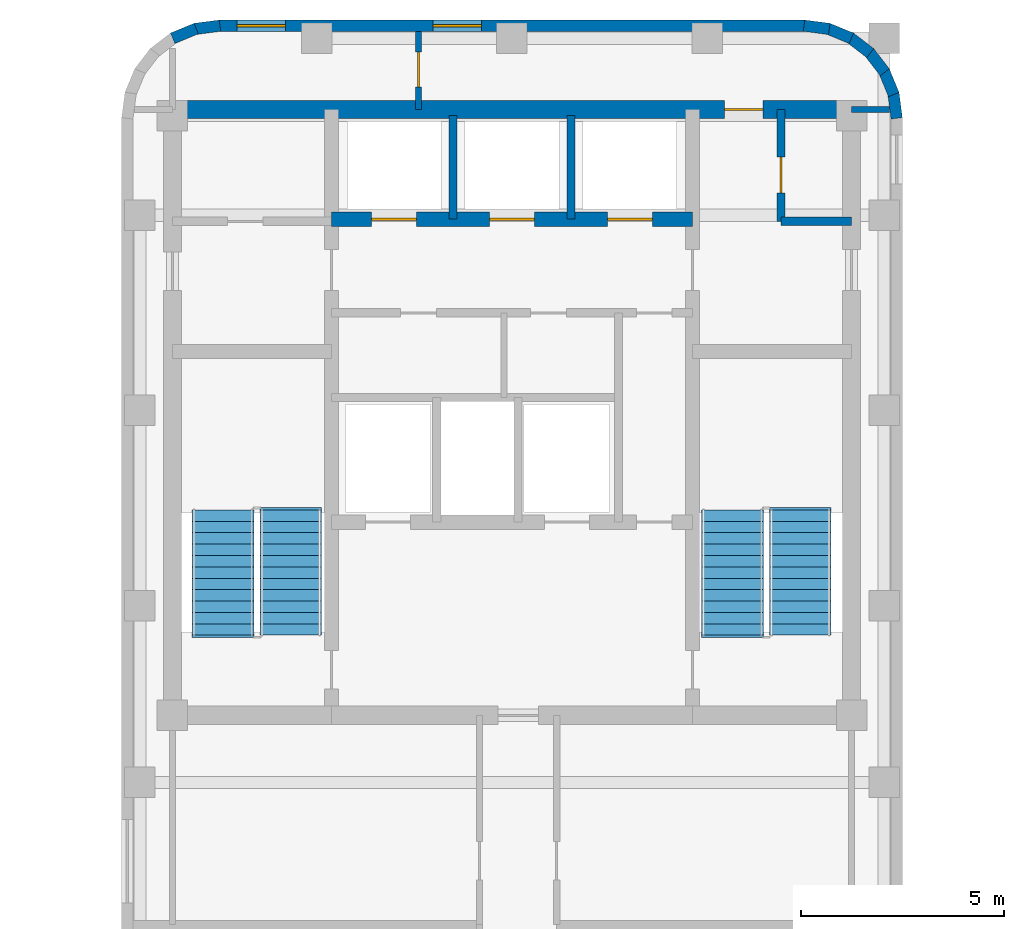
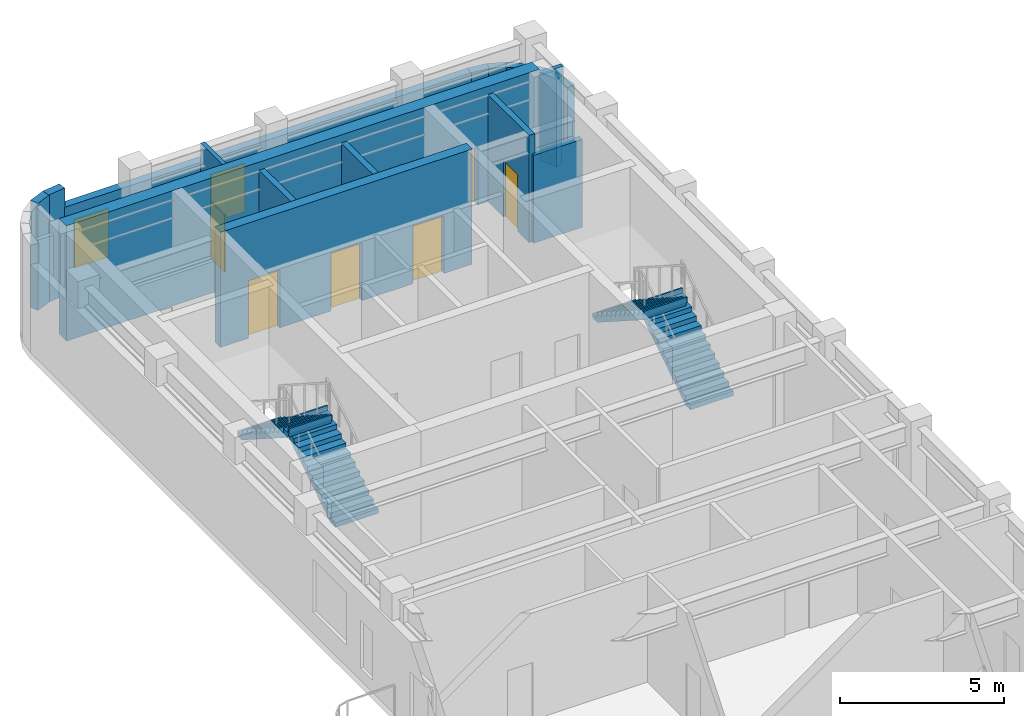
# One storey, part 4 of 5: 17 walls, 6 doors, 4 stair flights, 2 windows, 8 openings, 2 elements without a shape of their own.
"""IFC4 building model written with IfcOpenShell, lengths in metres."""

from ifc_helpers import new_model, si_unit, direction, frame, frame_2d, origin, place, context, subcontext, project, spatial, polyline, rectangle, outline, extrude, material, layer, layer_set, type_object, element, fill, aggregate, save


model = new_model("IFC4")

# Units and contexts
model_context = context("Model", 3, precision=1e-05, world=origin(), true_north=direction((0.0, 1.0)))
body_context = subcontext(model_context, "Body", "Model", "MODEL_VIEW")
ifc_project = project(units=[si_unit("LENGTHUNIT", "METRE"), si_unit("AREAUNIT", "SQUARE_METRE"), si_unit("VOLUMEUNIT", "CUBIC_METRE"), si_unit("PLANEANGLEUNIT", "RADIAN"), si_unit("MASSUNIT", "GRAM", prefix="KILO")], contexts=[model_context])

# Site, building, storey
site_placement = place(None, origin())
site = spatial("IfcSite", under=ifc_project, at=site_placement, CompositionType="ELEMENT")
building_placement = place(site_placement, origin())
building = spatial("IfcBuilding", under=site, at=building_placement, Name="Orvandelia Arch Residences", CompositionType="ELEMENT")
storey_placement = place(building_placement, frame((0.0, 0.0, 287.10009765625)))
storey = spatial("IfcBuildingStorey", under=building, at=storey_placement, Name="L74", CompositionType="ELEMENT", Elevation=287.10009765625)

# Wall, openings, doors
ifc_material_1 = material(Name="Concrete C50/60", Category="concrete")
ifc_layer_1 = layer(ifc_material_1, 0.35009765625, Name="Concrete C50/60", Category="concrete")
ifc_layer_set_1 = layer_set([ifc_layer_1], Name="Concrete C50/60")
wall_type_1 = type_object("IfcWallType", Name="WL-CORE-350", PredefinedType="SHEAR", material=ifc_layer_set_1)
wall_1_placement = place(storey_placement, frame((9.9599609375, 43.10009765625, 0.0), z_axis=(0.0, 0.0, 1.0), x_axis=(1.0, 0.0, 0.0)))
wall_1 = element("IfcWall", 1, at=wall_1_placement, inside=storey, type_object=wall_type_1, Name="Core Shear Wall L74-HZ4", PredefinedType="SHEAR", context=body_context, shape_type="SweptSolid", body=[
    extrude(rectangle(XDim=8.880126953125, YDim=0.35009765625, at=frame_2d((4.43994140625, 0.0))), origin(), (0.0, 0.0, 1.0), 4.2998046875),
])
opening_1_placement = place(wall_1_placement, frame((0.989990234375, 0.0, 0.0)))
opening_1 = element("IfcOpeningElement", 2, at=opening_1_placement, cuts=wall_1, Name="Opening LD", PredefinedType="OPENING", context=body_context, shape_type="SweptSolid", body=[
    extrude(rectangle(XDim=1.10009765625, YDim=2.14990234375, at=frame_2d((0.550048828125, 1.074951171875))), frame((0.0, 0.18505859375, 0.0), z_axis=(0.0, -1.0, 0.0), x_axis=(1.0, 0.0, 0.0)), (0.0, 0.0, 1.0), 0.3701171875),
])
opening_2_placement = place(wall_1_placement, frame((3.889892578125, 0.0, 0.0)))
opening_2 = element("IfcOpeningElement", 3, at=opening_2_placement, cuts=wall_1, Name="Opening LD", PredefinedType="OPENING", context=body_context, shape_type="SweptSolid", body=[
    extrude(rectangle(XDim=1.10009765625, YDim=2.14990234375, at=frame_2d((0.550048828125, 1.074951171875))), frame((0.0, 0.18505859375, 0.0), z_axis=(0.0, -1.0, 0.0), x_axis=(1.0, 0.0, 0.0)), (0.0, 0.0, 1.0), 0.3701171875),
])
opening_3_placement = place(wall_1_placement, frame((6.7900390625, 0.0, 0.0)))
opening_3 = element("IfcOpeningElement", 4, at=opening_3_placement, cuts=wall_1, Name="Opening LD", PredefinedType="OPENING", context=body_context, shape_type="SweptSolid", body=[
    extrude(rectangle(XDim=1.10009765625, YDim=2.14990234375, at=frame_2d((0.550048828125, 1.074951171875))), frame((0.0, 0.18505859375, 0.0), z_axis=(0.0, -1.0, 0.0), x_axis=(1.0, 0.0, 0.0)), (0.0, 0.0, 1.0), 0.3701171875),
])
ifc_material_2 = material(Name="Brushed Stainless Steel Sliding Lift Door", Category="steel")
door_type_1 = type_object("IfcDoorType", Name="DR-LIFT-1100", OperationType="NOTDEFINED", PredefinedType="DOOR", material=ifc_material_2)
door_1_placement = place(opening_1_placement, origin())
door_1 = element("IfcDoor", 5, at=door_1_placement, inside=storey, type_object=door_type_1, Name="Lift Landing Door LD-PH1-L74", OperationType="SLIDING_TO_LEFT", OverallHeight=2.14990234375, OverallWidth=1.10009765625, PredefinedType="DOOR", context=body_context, shape_type="SweptSolid", body=[
    extrude(rectangle(XDim=1.10009765625, YDim=2.14990234375, at=frame_2d((0.550048828125, 1.074951171875))), frame((0.0, 0.02490234375, 0.0), z_axis=(0.0, -1.0, 0.0), x_axis=(1.0, 0.0, 0.0)), (0.0, 0.0, 1.0), 0.050048828125),
])
fill(opening_1, door_1)
door_2_placement = place(opening_2_placement, origin())
door_2 = element("IfcDoor", 6, at=door_2_placement, inside=storey, type_object=door_type_1, Name="Lift Landing Door LD-PH2-L74", OperationType="SLIDING_TO_RIGHT", OverallHeight=2.14990234375, OverallWidth=1.10009765625, PredefinedType="DOOR", context=body_context, shape_type="SweptSolid", body=[
    extrude(rectangle(XDim=1.10009765625, YDim=2.14990234375, at=frame_2d((0.550048828125, 1.074951171875))), frame((0.0, 0.02490234375, 0.0), z_axis=(0.0, -1.0, 0.0), x_axis=(1.0, 0.0, 0.0)), (0.0, 0.0, 1.0), 0.050048828125),
])
fill(opening_2, door_2)
door_3_placement = place(opening_3_placement, origin())
door_3 = element("IfcDoor", 7, at=door_3_placement, inside=storey, type_object=door_type_1, Name="Lift Landing Door LD-PH3-L74", OperationType="SLIDING_TO_LEFT", OverallHeight=2.14990234375, OverallWidth=1.10009765625, PredefinedType="DOOR", context=body_context, shape_type="SweptSolid", body=[
    extrude(rectangle(XDim=1.10009765625, YDim=2.14990234375, at=frame_2d((0.550048828125, 1.074951171875))), frame((0.0, 0.02490234375, 0.0), z_axis=(0.0, -1.0, 0.0), x_axis=(1.0, 0.0, 0.0)), (0.0, 0.0, 1.0), 0.050048828125),
])
fill(opening_3, door_3)

# Wall, opening, door
ifc_layer_2 = layer(ifc_material_1, 0.449951171875, Name="Concrete C50/60", Category="concrete")
ifc_layer_set_2 = layer_set([ifc_layer_2], Name="Concrete C50/60")
wall_type_2 = type_object("IfcWallType", Name="WL-CORE-450", PredefinedType="SHEAR", material=ifc_layer_set_2)
wall_2_placement = place(storey_placement, frame((6.050048828125, 45.800048828125, 0.0), z_axis=(0.0, 0.0, 1.0), x_axis=(1.0, 0.0, 0.0)))
wall_2 = element("IfcWall", 8, at=wall_2_placement, inside=storey, type_object=wall_type_2, Name="Core Shear Wall L74-N", PredefinedType="SHEAR", context=body_context, shape_type="SweptSolid", body=[
    extrude(rectangle(XDim=16.699951171875, YDim=0.449951171875, at=frame_2d((8.35009765625, 0.0))), origin(), (0.0, 0.0, 1.0), 4.2998046875),
])
opening_4_placement = place(wall_2_placement, frame((13.570068359375, 0.0, 0.0)))
opening_4 = element("IfcOpeningElement", 9, at=opening_4_placement, cuts=wall_2, Name="Opening D2", PredefinedType="OPENING", context=body_context, shape_type="SweptSolid", body=[
    extrude(rectangle(XDim=0.949951171875, YDim=2.14990234375, at=frame_2d((0.47509765625, 1.074951171875))), frame((0.0, 0.23486328125, 0.0), z_axis=(0.0, -1.0, 0.0), x_axis=(1.0, 0.0, 0.0)), (0.0, 0.0, 1.0), 0.469970703125),
])
ifc_material_3 = material(Name="Solid-Core Timber Interior Fire Door", Category="wood")
door_type_2 = type_object("IfcDoorType", Name="DR-APT-950", OperationType="NOTDEFINED", PredefinedType="DOOR", material=ifc_material_3)
door_4_placement = place(opening_4_placement, origin())
door_4 = element("IfcDoor", 10, at=door_4_placement, inside=storey, type_object=door_type_2, Name="North Harbour Suite Entry Door L74", OperationType="SINGLE_SWING_LEFT", OverallHeight=2.14990234375, OverallWidth=0.949951171875, PredefinedType="DOOR", context=body_context, shape_type="SweptSolid", body=[
    extrude(rectangle(XDim=0.949951171875, YDim=2.14990234375, at=frame_2d((0.47509765625, 1.074951171875))), frame((0.0, 0.02490234375, 0.0), z_axis=(0.0, -1.0, 0.0), x_axis=(1.0, 0.0, 0.0)), (0.0, 0.0, 1.0), 0.050048828125),
])
fill(opening_4, door_4)

# Walls
ifc_material_4 = material(Name="Precast concrete C40/50", Category="concrete")
ifc_layer_3 = layer(ifc_material_4, 0.280029296875, Name="Precast concrete C40/50", Category="concrete")
ifc_layer_set_3 = layer_set([ifc_layer_3], Name="Precast concrete C40/50")
wall_type_3 = type_object("IfcWallType", Name="WL-EXT-STONE-280", PredefinedType="STANDARD", material=ifc_layer_set_3)
wall_3_placement = place(storey_placement, frame((6.0537109375, 47.54931640625, 0.0), z_axis=(0.0, 0.0, 1.0), x_axis=(0.923974080304, 0.382455093999, 0.0)))
element("IfcWall", 11, at=wall_3_placement, inside=storey, type_object=wall_type_3, Name="Coral-Limestone Precast Facade Wall L74-005", PredefinedType="STANDARD", context=body_context, shape_type="SweptSolid", body=[
    extrude(rectangle(XDim=0.626220703125, YDim=0.280029296875, at=frame_2d((0.31298828125, 0.0))), origin(), (0.0, 0.0, 1.0), 4.0),
])
wall_4_placement = place(storey_placement, frame((6.59716796875, 47.779296875, 0.0), z_axis=(0.0, 0.0, 1.0), x_axis=(0.9914410257, 0.130555323746, 0.0)))
element("IfcWall", 12, at=wall_4_placement, inside=storey, type_object=wall_type_3, Name="Coral-Limestone Precast Facade Wall L74-006", PredefinedType="STANDARD", context=body_context, shape_type="SweptSolid", body=[
    extrude(rectangle(XDim=0.62646484375, YDim=0.280029296875, at=frame_2d((0.313232421875, 0.0))), origin(), (0.0, 0.0, 1.0), 4.0),
])

# Wall, openings, windows
wall_5_placement = place(storey_placement, frame((7.199951171875, 47.860107421875, 0.0), z_axis=(0.0, 0.0, 1.0), x_axis=(1.0, 0.0, 0.0)))
wall_5 = element("IfcWall", 13, at=wall_5_placement, inside=storey, type_object=wall_type_3, Name="Coral-Limestone Precast Facade Wall L74-007", PredefinedType="STANDARD", context=body_context, shape_type="SweptSolid", body=[
    extrude(rectangle(XDim=14.400146484375, YDim=0.280029296875, at=frame_2d((7.2001953125, 0.0))), origin(), (0.0, 0.0, 1.0), 3.27978515625),
])
opening_5_placement = place(wall_5_placement, frame((0.4326171875, 0.0, 0.800048828125)))
opening_5 = element("IfcOpeningElement", 14, at=opening_5_placement, cuts=wall_5, Name="Opening W3", PredefinedType="OPENING", context=body_context, shape_type="SweptSolid", body=[
    extrude(rectangle(XDim=1.199951171875, YDim=1.800048828125, at=frame_2d((0.60009765625, 0.89990234375))), frame((0.0, 0.14990234375, 0.0), z_axis=(0.0, -1.0, 0.0), x_axis=(1.0, 0.0, 0.0)), (0.0, 0.0, 1.0), 0.300048828125),
])
opening_6_placement = place(wall_5_placement, frame((5.25244140625, 0.0, 0.800048828125)))
opening_6 = element("IfcOpeningElement", 15, at=opening_6_placement, cuts=wall_5, Name="Opening W3", PredefinedType="OPENING", context=body_context, shape_type="SweptSolid", body=[
    extrude(rectangle(XDim=1.199951171875, YDim=1.800048828125, at=frame_2d((0.60009765625, 0.89990234375))), frame((0.0, 0.14990234375, 0.0), z_axis=(0.0, -1.0, 0.0), x_axis=(1.0, 0.0, 0.0)), (0.0, 0.0, 1.0), 0.300048828125),
])
ifc_material_5 = material(Name="Tempered Low-E Insulated Glazing", Category="glass")
window_type = type_object("IfcWindowType", Name="WIN-RES-1200x1800", PartitioningType="SINGLE_PANEL", PredefinedType="WINDOW", material=ifc_material_5)
window_1_placement = place(opening_5_placement, origin())
window_1 = element("IfcWindow", 16, at=window_1_placement, inside=storey, type_object=window_type, Name="Recessed Punched Window L74-001", OverallHeight=1.800048828125, OverallWidth=1.199951171875, PartitioningType="SINGLE_PANEL", PredefinedType="WINDOW", context=body_context, shape_type="SweptSolid", body=[
    extrude(rectangle(XDim=1.199951171875, YDim=1.800048828125, at=frame_2d((0.60009765625, 0.89990234375))), frame((0.0, 0.030029296875, 0.0), z_axis=(0.0, -1.0, 0.0), x_axis=(1.0, 0.0, 0.0)), (0.0, 0.0, 1.0), 0.06005859375),
])
fill(opening_5, window_1)
window_2_placement = place(opening_6_placement, origin())
window_2 = element("IfcWindow", 17, at=window_2_placement, inside=storey, type_object=window_type, Name="Recessed Punched Window L74-002", OverallHeight=1.800048828125, OverallWidth=1.199951171875, PartitioningType="SINGLE_PANEL", PredefinedType="WINDOW", context=body_context, shape_type="SweptSolid", body=[
    extrude(rectangle(XDim=1.199951171875, YDim=1.800048828125, at=frame_2d((0.60009765625, 0.89990234375))), frame((0.0, 0.030029296875, 0.0), z_axis=(0.0, -1.0, 0.0), x_axis=(1.0, 0.0, 0.0)), (0.0, 0.0, 1.0), 0.06005859375),
])
fill(opening_6, window_2)

# Walls
for number, where, z_axis, x_axis, name in (
    (18, (21.581787109375, 47.861083984375, 0.0), (0.0, 0.0, 1.0), (0.9914410257, -0.130555323746, 0.0), "Coral-Limestone Precast Facade Wall L74-008"),
    (19, (22.16748046875, 47.788818359375, 0.0), (0.0, 0.0, 1.0), (0.924031075431, -0.382317370307, 0.0), "Coral-Limestone Precast Facade Wall L74-009"),
    (20, (22.71484375, 47.5673828125, 0.0), (0.0, 0.0, 1.0), (0.793405610854, -0.608693302629, 0.0), "Coral-Limestone Precast Facade Wall L74-010"),
    (21, (23.18603515625, 47.2119140625, 0.0), (0.0, 0.0, 1.0), (0.608693302629, -0.793405610854, 0.0), "Coral-Limestone Precast Facade Wall L74-011"),
    (22, (23.54931640625, 46.746337890625, 0.0), (0.0, 0.0, 1.0), (0.382317370307, -0.924031075431, 0.0), "Coral-Limestone Precast Facade Wall L74-012"),
    (23, (23.779296875, 46.202880859375, 0.0), (0.0, 0.0, 1.0), (0.130555323746, -0.9914410257, 0.0), "Coral-Limestone Precast Facade Wall L74-013"),
):
    element("IfcWall", number, at=place(storey_placement, frame(where, z_axis=z_axis, x_axis=x_axis)), inside=storey, type_object=wall_type_3, Name=name, PredefinedType="STANDARD", context=body_context, shape_type="SweptSolid", body=[
        extrude(rectangle(XDim=0.62646484375, YDim=0.280029296875, at=frame_2d((0.313232421875, 0.0))), origin(), (0.0, 0.0, 1.0), 3.27978515625),
    ])
ifc_material_6 = material(Name="Acoustic Gypsum Stud Partition")
ifc_layer_4 = layer(ifc_material_6, 0.14990234375, Name="Acoustic Gypsum Stud Partition")
ifc_layer_set_4 = layer_set([ifc_layer_4], Name="Acoustic Gypsum Stud Partition")
wall_type_4 = type_object("IfcWallType", Name="WL-PART-150", PredefinedType="PARTITIONING", material=ifc_layer_set_4)
wall_6_placement = place(storey_placement, frame((22.75, 45.800048828125, 0.0), z_axis=(0.0, 0.0, 1.0), x_axis=(1.0, 0.0, 0.0)))
element("IfcWall", 24, at=wall_6_placement, inside=storey, type_object=wall_type_4, Name="Interior Partition Wall WL-L74-SEFLK-N", PredefinedType="PARTITIONING", context=body_context, shape_type="SweptSolid", body=[
    extrude(rectangle(XDim=0.929931640625, YDim=0.14990234375, at=frame_2d((0.46484375, 0.0))), origin(), (0.0, 0.0, 1.0), 4.0),
])

# Wall, opening, door
wall_7_placement = place(storey_placement, frame((12.10009765625, 45.800048828125, 0.0), z_axis=(0.0, 0.0, 1.0), x_axis=(0.0, 1.0, 0.0)))
wall_7 = element("IfcWall", 25, at=wall_7_placement, inside=storey, type_object=wall_type_4, Name="Interior Partition Wall WL-L74-NHI-M", PredefinedType="PARTITIONING", context=body_context, shape_type="SweptSolid", body=[
    extrude(rectangle(XDim=1.919921875, YDim=0.14990234375, at=frame_2d((0.9599609375, 0.0))), origin(), (0.0, 0.0, 1.0), 4.0),
])
opening_7_placement = place(wall_7_placement, frame((0.550048828125, 0.0, 0.0)))
opening_7 = element("IfcOpeningElement", 26, at=opening_7_placement, cuts=wall_7, Name="Opening D4", PredefinedType="OPENING", context=body_context, shape_type="SweptSolid", body=[
    extrude(rectangle(XDim=0.860107421875, YDim=2.10009765625, at=frame_2d((0.43017578125, 1.050048828125))), frame((0.0, 0.0849609375, 0.0), z_axis=(0.0, -1.0, 0.0), x_axis=(1.0, 0.0, 0.0)), (0.0, 0.0, 1.0), 0.169921875),
])
ifc_material_7 = material(Name="Moisture-Sealed Timber Bathroom Door", Category="wood")
door_type_3 = type_object("IfcDoorType", Name="DR-WET-900", OperationType="NOTDEFINED", PredefinedType="DOOR", material=ifc_material_7)
door_5_placement = place(opening_7_placement, origin())
door_5 = element("IfcDoor", 27, at=door_5_placement, inside=storey, type_object=door_type_3, Name="DR-L74-NHI1", OperationType="SINGLE_SWING_LEFT", OverallHeight=2.10009765625, OverallWidth=0.860107421875, PredefinedType="DOOR", context=body_context, shape_type="SweptSolid", body=[
    extrude(rectangle(XDim=0.860107421875, YDim=2.10009765625, at=frame_2d((0.43017578125, 1.050048828125))), frame((0.0, 0.02490234375, 0.0), z_axis=(0.0, -1.0, 0.0), x_axis=(1.0, 0.0, 0.0)), (0.0, 0.0, 1.0), 0.050048828125),
])
fill(opening_7, door_5)

# Wall
ifc_material_8 = material(Name="Fire-Rated Shaft Enclosure Wall")
ifc_layer_5 = layer(ifc_material_8, 0.199951171875, Name="Fire-Rated Shaft Enclosure Wall")
ifc_layer_set_5 = layer_set([ifc_layer_5], Name="Fire-Rated Shaft Enclosure Wall")
wall_type_5 = type_object("IfcWallType", Name="WL-SHAFT-200", PredefinedType="POLYGONAL", material=ifc_layer_set_5)
wall_8_placement = place(storey_placement, frame((21.02001953125, 43.050048828125, 0.0), z_axis=(0.0, 0.0, 1.0), x_axis=(1.0, 0.0, 0.0)))
element("IfcWall", 28, at=wall_8_placement, inside=storey, type_object=wall_type_5, Name="Interior Partition Wall WL-L74-HLE-N", PredefinedType="POLYGONAL", context=body_context, shape_type="SweptSolid", body=[
    extrude(rectangle(XDim=1.72998046875, YDim=0.199951171875, at=frame_2d((0.864990234375, 0.0))), origin(), (0.0, 0.0, 1.0), 3.27978515625),
])

# Wall, opening, door
wall_9_placement = place(storey_placement, frame((21.02001953125, 43.050048828125, 0.0), z_axis=(0.0, 0.0, 1.0), x_axis=(0.0, 1.0, 0.0)))
wall_9 = element("IfcWall", 29, at=wall_9_placement, inside=storey, type_object=wall_type_5, Name="Interior Partition Wall WL-L74-HLE-W21", PredefinedType="POLYGONAL", context=body_context, shape_type="SweptSolid", body=[
    extrude(rectangle(XDim=2.75, YDim=0.199951171875, at=frame_2d((1.375, 0.0))), origin(), (0.0, 0.0, 1.0), 4.0),
])
opening_8_placement = place(wall_9_placement, frame((0.699951171875, 0.0, 0.0)))
opening_8 = element("IfcOpeningElement", 30, at=opening_8_placement, cuts=wall_9, Name="Opening D5", PredefinedType="OPENING", context=body_context, shape_type="SweptSolid", body=[
    extrude(rectangle(XDim=0.8798828125, YDim=2.10009765625, at=frame_2d((0.43994140625, 1.050048828125))), frame((0.0, 0.10986328125, 0.0), z_axis=(0.0, -1.0, 0.0), x_axis=(1.0, 0.0, 0.0)), (0.0, 0.0, 1.0), 0.219970703125),
])
ifc_material_9 = material(Name="Painted Galvanised Steel Service Door", Category="steel")
door_type_4 = type_object("IfcDoorType", Name="DR-SRV-880", OperationType="NOTDEFINED", PredefinedType="DOOR", material=ifc_material_9)
door_6_placement = place(opening_8_placement, origin())
door_6 = element("IfcDoor", 31, at=door_6_placement, inside=storey, type_object=door_type_4, Name="DR-L74-CSB1", OperationType="SINGLE_SWING_LEFT", OverallHeight=2.10009765625, OverallWidth=0.8798828125, PredefinedType="DOOR", context=body_context, shape_type="SweptSolid", body=[
    extrude(rectangle(XDim=0.8798828125, YDim=2.10009765625, at=frame_2d((0.43994140625, 1.050048828125))), frame((0.0, 0.02490234375, 0.0), z_axis=(0.0, -1.0, 0.0), x_axis=(1.0, 0.0, 0.0)), (0.0, 0.0, 1.0), 0.050048828125),
])
fill(opening_8, door_6)

# Walls
for number, where, z_axis, x_axis, name in (
    (32, (12.949951171875, 43.10009765625, 0.0), (0.0, 0.0, 1.0), (0.0, 1.0, 0.0), "Interior Partition Wall WL-L74-PHD1"),
    (33, (15.85009765625, 43.10009765625, 0.0), (0.0, 0.0, 1.0), (0.0, 1.0, 0.0), "Interior Partition Wall WL-L74-PHD2"),
):
    element("IfcWall", number, at=place(storey_placement, frame(where, z_axis=z_axis, x_axis=x_axis)), inside=storey, type_object=wall_type_5, Name=name, PredefinedType="POLYGONAL", context=body_context, shape_type="SweptSolid", body=[
        extrude(rectangle(XDim=2.5498046875, YDim=0.199951171875, at=frame_2d((1.27490234375, 0.0))), origin(), (0.0, 0.0, 1.0), 4.0),
    ])

# Stair, stair flights
ifc_material_10 = material(Name="Concrete C40/50", Category="concrete")
stair_type = type_object("IfcStairType", Name="STAIR-RC-DOGLEG", PredefinedType="HALF_TURN_STAIR", material=ifc_material_10)
stair_1_placement = place(storey_placement, origin())
stair_1 = element("IfcStair", 34, at=stair_1_placement, inside=storey, type_object=stair_type, Name="L74 Protected Exit Stair ST-1", PredefinedType="HALF_TURN_STAIR")
stair_flight_type = type_object("IfcStairFlightType", Name="STFLT-RC-1520", PredefinedType="STRAIGHT", material=ifc_material_10)
stair_flight_1_placement = place(storey_placement, frame((8.9599609375, 32.8701171875, 0.0), z_axis=(0.0, 0.0, 1.0), x_axis=(0.0, 1.0, 0.0)))
stair_flight_1 = element("IfcStairFlight", 35, at=stair_flight_1_placement, type_object=stair_flight_type, Name="ST-1 flight 1", NumberOfRisers=12, NumberOfTreads=11, PredefinedType="STRAIGHT", RiserHeight=0.179166667, TreadLength=0.28, context=body_context, shape_type="SweptSolid", body=[
    extrude(outline(polyline([(0.0, 0.0), (0.0, 0.17919921875), (0.280029296875, 0.17919921875), (0.280029296875, 0.3583984375), (0.56005859375, 0.3583984375), (0.56005859375, 0.53759765625), (0.840087890625, 0.53759765625), (0.840087890625, 0.716552734375), (1.1201171875, 0.716552734375), (1.1201171875, 0.895751953125), (1.39990234375, 0.895751953125), (1.39990234375, 1.074951171875), (1.679931640625, 1.074951171875), (1.679931640625, 1.254150390625), (1.9599609375, 1.254150390625), (1.9599609375, 1.433349609375), (2.239990234375, 1.433349609375), (2.239990234375, 1.612548828125), (2.52001953125, 1.612548828125), (2.52001953125, 1.791748046875), (2.800048828125, 1.791748046875), (2.800048828125, 1.970947265625), (3.080078125, 1.970947265625), (3.080078125, 2.14990234375), (3.139892578125, 2.14990234375), (3.139892578125, 1.969970703125), (3.080078125, 1.79296875), (0.278076171875, 0.0), (0.0, 0.0)])), frame((0.0, 0.760009765625, 0.0), z_axis=(0.0, -1.0, 0.0), x_axis=(1.0, 0.0, 0.0)), (0.0, 0.0, 1.0), 1.52001953125),
])
stair_flight_2_placement = place(storey_placement, frame((7.2900390625, 35.949951171875, 2.14990234375), z_axis=(0.0, 0.0, 1.0), x_axis=(0.0, -1.0, 0.0)))
stair_flight_2 = element("IfcStairFlight", 36, at=stair_flight_2_placement, type_object=stair_flight_type, Name="ST-1 flight 2", NumberOfRisers=12, NumberOfTreads=11, PredefinedType="STRAIGHT", RiserHeight=0.179166667, TreadLength=0.28, context=body_context, shape_type="SweptSolid", body=[
    extrude(outline(polyline([(0.0, 0.0), (0.0, 0.17919921875), (0.280029296875, 0.17919921875), (0.280029296875, 0.3583984375), (0.56005859375, 0.3583984375), (0.56005859375, 0.53759765625), (0.840087890625, 0.53759765625), (0.840087890625, 0.716552734375), (1.1201171875, 0.716552734375), (1.1201171875, 0.895751953125), (1.39990234375, 0.895751953125), (1.39990234375, 1.074951171875), (1.679931640625, 1.074951171875), (1.679931640625, 1.254150390625), (1.9599609375, 1.254150390625), (1.9599609375, 1.433349609375), (2.239990234375, 1.433349609375), (2.239990234375, 1.612548828125), (2.52001953125, 1.612548828125), (2.52001953125, 1.791748046875), (2.800048828125, 1.791748046875), (2.800048828125, 1.970947265625), (3.080078125, 1.970947265625), (3.080078125, 2.14990234375), (3.139892578125, 2.14990234375), (3.139892578125, 1.969970703125), (3.080078125, 1.79296875), (0.278076171875, 0.0), (0.0, 0.0)])), frame((0.0, 0.760009765625, 0.0), z_axis=(0.0, -1.0, 0.0), x_axis=(1.0, 0.0, 0.0)), (0.0, 0.0, 1.0), 1.52001953125),
])
aggregate(stair_1, [stair_flight_1, stair_flight_2])

stair_2_placement = place(storey_placement, origin())
stair_2 = element("IfcStair", 37, at=stair_2_placement, inside=storey, type_object=stair_type, Name="L74 Protected Exit Stair ST-2", PredefinedType="HALF_TURN_STAIR")
stair_flight_3_placement = place(storey_placement, frame((21.489990234375, 32.8701171875, 0.0), z_axis=(0.0, 0.0, 1.0), x_axis=(0.0, 1.0, 0.0)))
stair_flight_3 = element("IfcStairFlight", 38, at=stair_flight_3_placement, type_object=stair_flight_type, Name="ST-2 flight 1", NumberOfRisers=12, NumberOfTreads=11, PredefinedType="STRAIGHT", RiserHeight=0.179166667, TreadLength=0.28, context=body_context, shape_type="SweptSolid", body=[
    extrude(outline(polyline([(0.0, 0.0), (0.0, 0.17919921875), (0.280029296875, 0.17919921875), (0.280029296875, 0.3583984375), (0.56005859375, 0.3583984375), (0.56005859375, 0.53759765625), (0.840087890625, 0.53759765625), (0.840087890625, 0.716552734375), (1.1201171875, 0.716552734375), (1.1201171875, 0.895751953125), (1.39990234375, 0.895751953125), (1.39990234375, 1.074951171875), (1.679931640625, 1.074951171875), (1.679931640625, 1.254150390625), (1.9599609375, 1.254150390625), (1.9599609375, 1.433349609375), (2.239990234375, 1.433349609375), (2.239990234375, 1.612548828125), (2.52001953125, 1.612548828125), (2.52001953125, 1.791748046875), (2.800048828125, 1.791748046875), (2.800048828125, 1.970947265625), (3.080078125, 1.970947265625), (3.080078125, 2.14990234375), (3.139892578125, 2.14990234375), (3.139892578125, 1.969970703125), (3.080078125, 1.79296875), (0.278076171875, 0.0), (0.0, 0.0)])), frame((0.0, 0.760009765625, 0.0), z_axis=(0.0, -1.0, 0.0), x_axis=(1.0, 0.0, 0.0)), (0.0, 0.0, 1.0), 1.52001953125),
])
stair_flight_4_placement = place(storey_placement, frame((19.820068359375, 35.949951171875, 2.14990234375), z_axis=(0.0, 0.0, 1.0), x_axis=(0.0, -1.0, 0.0)))
stair_flight_4 = element("IfcStairFlight", 39, at=stair_flight_4_placement, type_object=stair_flight_type, Name="ST-2 flight 2", NumberOfRisers=12, NumberOfTreads=11, PredefinedType="STRAIGHT", RiserHeight=0.179166667, TreadLength=0.28, context=body_context, shape_type="SweptSolid", body=[
    extrude(outline(polyline([(0.0, 0.0), (0.0, 0.17919921875), (0.280029296875, 0.17919921875), (0.280029296875, 0.3583984375), (0.56005859375, 0.3583984375), (0.56005859375, 0.53759765625), (0.840087890625, 0.53759765625), (0.840087890625, 0.716552734375), (1.1201171875, 0.716552734375), (1.1201171875, 0.895751953125), (1.39990234375, 0.895751953125), (1.39990234375, 1.074951171875), (1.679931640625, 1.074951171875), (1.679931640625, 1.254150390625), (1.9599609375, 1.254150390625), (1.9599609375, 1.433349609375), (2.239990234375, 1.433349609375), (2.239990234375, 1.612548828125), (2.52001953125, 1.612548828125), (2.52001953125, 1.791748046875), (2.800048828125, 1.791748046875), (2.800048828125, 1.970947265625), (3.080078125, 1.970947265625), (3.080078125, 2.14990234375), (3.139892578125, 2.14990234375), (3.139892578125, 1.969970703125), (3.080078125, 1.79296875), (0.278076171875, 0.0), (0.0, 0.0)])), frame((0.0, 0.760009765625, 0.0), z_axis=(0.0, -1.0, 0.0), x_axis=(1.0, 0.0, 0.0)), (0.0, 0.0, 1.0), 1.52001953125),
])
aggregate(stair_2, [stair_flight_3, stair_flight_4])

save(model, "model.ifc")
